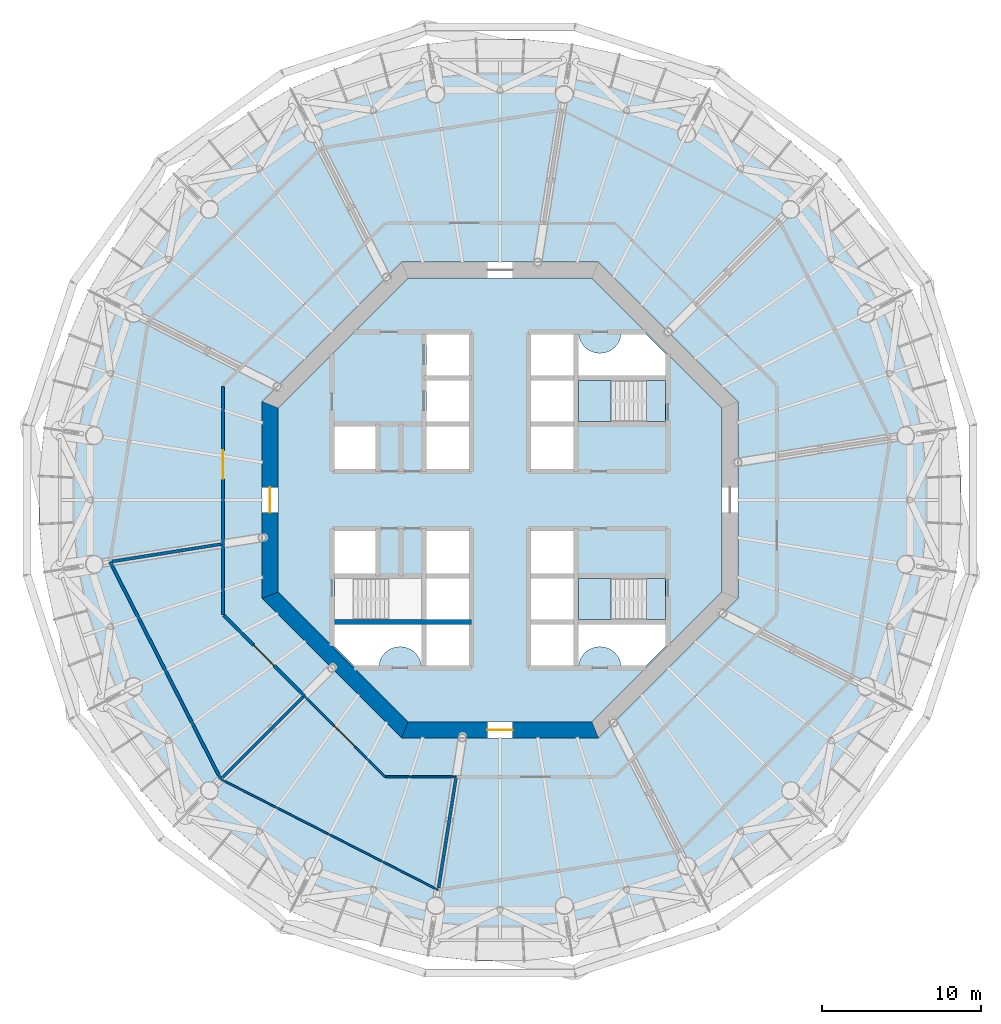
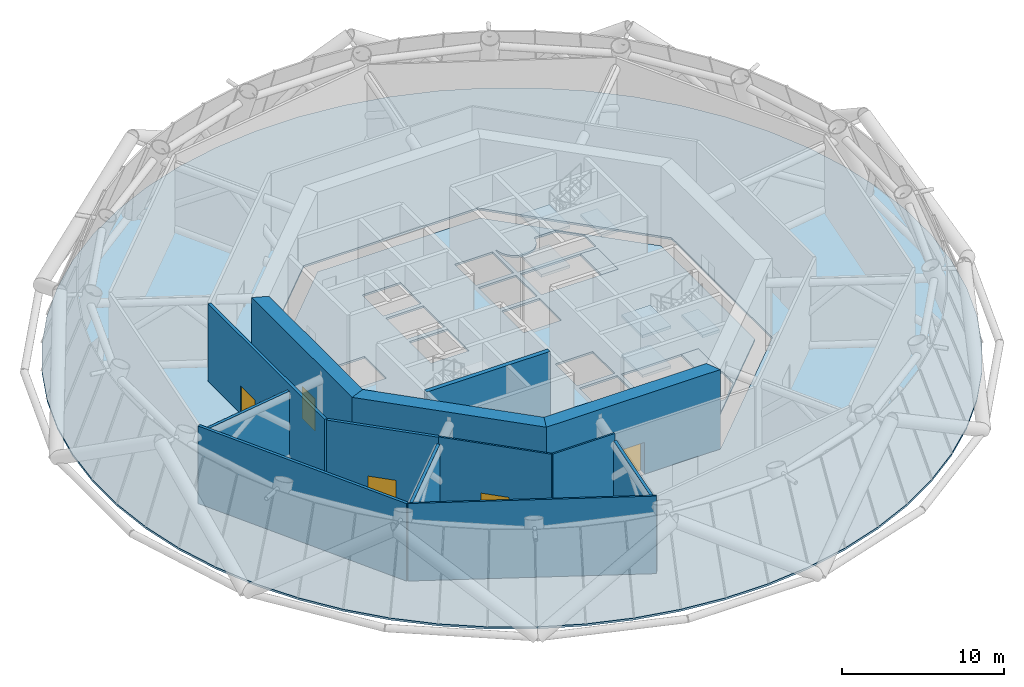
# One storey, part 7 of 15: 13 walls, 10 slabs, 5 doors, 5 openings, 2 elements without a shape of their own.
"""IFC4 building model written with IfcOpenShell, lengths in metres."""

from ifc_helpers import new_model, si_unit, direction, frame, frame_2d, origin, place, context, subcontext, project, spatial, polyline, rectangle, outline, extrude, material, layer, layer_set, type_object, element, fill, aggregate, save


model = new_model("IFC4")

# Units and contexts
model_context = context("Model", 3, precision=1e-05, world=origin(), true_north=direction((0.0, 1.0)))
body_context = subcontext(model_context, "Body", "Model", "MODEL_VIEW")
ifc_project = project(units=[si_unit("LENGTHUNIT", "METRE"), si_unit("AREAUNIT", "SQUARE_METRE"), si_unit("VOLUMEUNIT", "CUBIC_METRE"), si_unit("PLANEANGLEUNIT", "RADIAN"), si_unit("MASSUNIT", "GRAM", prefix="KILO")], contexts=[model_context])

# Site, building, storey
site_placement = place(None, origin())
site = spatial("IfcSite", under=ifc_project, at=site_placement, CompositionType="ELEMENT")
building_placement = place(site_placement, origin())
building = spatial("IfcBuilding", under=site, at=building_placement, Name="Entoto Ring Tower", CompositionType="ELEMENT")
storey_placement = place(building_placement, frame((0.0, 0.0, 200.0)))
storey = spatial("IfcBuildingStorey", under=building, at=storey_placement, Name="L46", CompositionType="ELEMENT", Elevation=200.0)

# Slabs
ifc_material_1 = material(Name="Concrete C30/37", Category="concrete")
ifc_layer_1 = layer(ifc_material_1, 0.14990234375)
ifc_layer_set_1 = layer_set([ifc_layer_1], Name="Concrete C30/37")
slab_type_1 = type_object("IfcSlabType", Name="Composite floor slab 150 mm", PredefinedType="FLOOR", material=ifc_layer_set_1)
slab_1_placement = place(storey_placement, frame((0.0, 0.0, -0.14990234375)))
element("IfcSlab", 1, at=slab_1_placement, inside=storey, type_object=slab_type_1, Name="Floor slab L46", PredefinedType="FLOOR", context=body_context, shape_type="SweptSolid", body=[
    extrude(outline(polyline([(118.74169921875, 84.55224609375), (118.1083984375, 87.53173828125), (117.167236328125, 90.428466796875), (115.92822265625, 93.211181640625), (114.4052734375, 95.848876953125), (112.614990234375, 98.313232421875), (110.576904296875, 100.576904296875), (108.313232421875, 102.614990234375), (105.848876953125, 104.4052734375), (103.211181640625, 105.92822265625), (100.428466796875, 107.167236328125), (97.53173828125, 108.1083984375), (94.55224609375, 108.74169921875), (91.52294921875, 109.06005859375), (88.47705078125, 109.06005859375), (85.44775390625, 108.74169921875), (82.46826171875, 108.1083984375), (79.571533203125, 107.167236328125), (76.788818359375, 105.92822265625), (74.151123046875, 104.4052734375), (71.686767578125, 102.614990234375), (69.423095703125, 100.576904296875), (67.385009765625, 98.313232421875), (65.5947265625, 95.848876953125), (64.07177734375, 93.211181640625), (62.832763671875, 90.428466796875), (61.8916015625, 87.53173828125), (61.25830078125, 84.55224609375), (60.93994140625, 81.52294921875), (60.93994140625, 78.47705078125), (61.25830078125, 75.44775390625), (61.8916015625, 72.46826171875), (62.832763671875, 69.571533203125), (64.07177734375, 66.788818359375), (65.5947265625, 64.151123046875), (67.385009765625, 61.686767578125), (69.423095703125, 59.423095703125), (71.686767578125, 57.385009765625), (74.151123046875, 55.5947265625), (76.788818359375, 54.07177734375), (79.571533203125, 52.832763671875), (82.46826171875, 51.8916015625), (85.44775390625, 51.25830078125), (88.47705078125, 50.93994140625), (91.52294921875, 50.93994140625), (94.55224609375, 51.25830078125), (97.53173828125, 51.8916015625), (100.428466796875, 52.832763671875), (103.211181640625, 54.07177734375), (105.848876953125, 55.5947265625), (108.313232421875, 57.385009765625), (110.576904296875, 59.423095703125), (112.614990234375, 61.686767578125), (114.4052734375, 64.151123046875), (115.92822265625, 66.788818359375), (117.167236328125, 69.571533203125), (118.1083984375, 72.46826171875), (118.74169921875, 75.44775390625), (119.06005859375, 78.47705078125), (119.06005859375, 81.52294921875), (118.74169921875, 84.55224609375)]), holes=[polyline([(105.0, 73.786865234375), (105.0, 86.213134765625), (96.213134765625, 95.0), (83.786865234375, 95.0), (75.0, 86.213134765625), (75.0, 73.786865234375), (83.786865234375, 65.0), (96.213134765625, 65.0), (105.0, 73.786865234375)])]), origin(), (0.0, 0.0, 1.0), 0.14990234375),
])
ifc_material_2 = material(Name="Concrete C40/50", Category="concrete")
ifc_layer_2 = layer(ifc_material_2, 0.14990234375)
ifc_layer_set_2 = layer_set([ifc_layer_2], Name="Concrete C40/50")
slab_type_2 = type_object("IfcSlabType", Name="Core floor slab 150 mm reinforced concrete C40/50", PredefinedType="FLOOR", material=ifc_layer_set_2)
slab_2_placement = place(storey_placement, frame((0.0, 0.0, -0.14990234375)))
element("IfcSlab", 2, at=slab_2_placement, inside=storey, type_object=slab_type_2, Name="Core floor L46", PredefinedType="FLOOR", context=body_context, shape_type="SweptSolid", body=[
    extrude(outline(polyline([(104.0, 74.200927734375), (104.0, 85.799072265625), (95.799072265625, 94.0), (84.200927734375, 94.0), (76.0, 85.799072265625), (76.0, 74.200927734375), (84.200927734375, 66.0), (95.799072265625, 66.0), (104.0, 74.200927734375)]), holes=[polyline([(100.449951171875, 84.949951171875), (100.449951171875, 87.550048828125), (94.949951171875, 87.550048828125), (94.949951171875, 84.949951171875), (100.449951171875, 84.949951171875)]), polyline([(85.050048828125, 72.449951171875), (85.050048828125, 75.050048828125), (79.550048828125, 75.050048828125), (79.550048828125, 72.449951171875), (85.050048828125, 72.449951171875)]), polyline([(100.449951171875, 72.449951171875), (100.449951171875, 75.050048828125), (94.949951171875, 75.050048828125), (94.949951171875, 72.449951171875), (100.449951171875, 72.449951171875)]), polyline([(91.949951171875, 84.949951171875), (94.64990234375, 84.949951171875), (94.64990234375, 87.550048828125), (91.949951171875, 87.550048828125), (91.949951171875, 84.949951171875)]), polyline([(91.949951171875, 72.449951171875), (94.64990234375, 72.449951171875), (94.64990234375, 75.050048828125), (91.949951171875, 75.050048828125), (91.949951171875, 72.449951171875)]), polyline([(91.949951171875, 69.550048828125), (94.64990234375, 69.550048828125), (94.64990234375, 72.14990234375), (91.949951171875, 72.14990234375), (91.949951171875, 69.550048828125)]), polyline([(85.35009765625, 72.449951171875), (88.050048828125, 72.449951171875), (88.050048828125, 75.050048828125), (85.35009765625, 75.050048828125), (85.35009765625, 72.449951171875)]), polyline([(85.35009765625, 81.949951171875), (88.050048828125, 81.949951171875), (88.050048828125, 84.64990234375), (85.35009765625, 84.64990234375), (85.35009765625, 81.949951171875)]), polyline([(91.949951171875, 75.35009765625), (94.64990234375, 75.35009765625), (94.64990234375, 78.050048828125), (91.949951171875, 78.050048828125), (91.949951171875, 75.35009765625)]), polyline([(79.550048828125, 81.949951171875), (82.14990234375, 81.949951171875), (82.14990234375, 84.64990234375), (79.550048828125, 84.64990234375), (79.550048828125, 81.949951171875)]), polyline([(79.550048828125, 75.35009765625), (82.14990234375, 75.35009765625), (82.14990234375, 78.050048828125), (79.550048828125, 78.050048828125), (79.550048828125, 75.35009765625)]), polyline([(91.949951171875, 87.85009765625), (94.64990234375, 87.85009765625), (94.64990234375, 90.449951171875), (91.949951171875, 90.449951171875), (91.949951171875, 87.85009765625)]), polyline([(85.35009765625, 69.550048828125), (88.050048828125, 69.550048828125), (88.050048828125, 72.14990234375), (85.35009765625, 72.14990234375), (85.35009765625, 69.550048828125)]), polyline([(91.949951171875, 81.949951171875), (94.64990234375, 81.949951171875), (94.64990234375, 84.64990234375), (91.949951171875, 84.64990234375), (91.949951171875, 81.949951171875)]), polyline([(85.35009765625, 75.35009765625), (88.050048828125, 75.35009765625), (88.050048828125, 78.050048828125), (85.35009765625, 78.050048828125), (85.35009765625, 75.35009765625)]), polyline([(85.35009765625, 84.949951171875), (88.050048828125, 84.949951171875), (88.050048828125, 87.550048828125), (85.35009765625, 87.550048828125), (85.35009765625, 84.949951171875)]), polyline([(85.35009765625, 87.85009765625), (88.050048828125, 87.85009765625), (88.050048828125, 90.449951171875), (85.35009765625, 90.449951171875), (85.35009765625, 87.85009765625)]), polyline([(94.89990234375, 90.5), (94.89990234375, 87.800048828125), (100.5, 87.800048828125), (100.5, 89.15771484375), (99.15771484375, 90.5), (97.64501953125, 90.5), (97.6435546875, 90.4677734375), (97.6240234375, 90.336669921875), (97.591796875, 90.2080078125), (97.547119140625, 90.08349609375), (97.490478515625, 89.963623046875), (97.422607421875, 89.85009765625), (97.343505859375, 89.74365234375), (97.254638671875, 89.6455078125), (97.156494140625, 89.556396484375), (97.050048828125, 89.4775390625), (96.936279296875, 89.409423828125), (96.816650390625, 89.352783203125), (96.69189453125, 89.30810546875), (96.5634765625, 89.27587890625), (96.432373046875, 89.256591796875), (96.300048828125, 89.25), (96.167724609375, 89.256591796875), (96.03662109375, 89.27587890625), (95.908203125, 89.30810546875), (95.783447265625, 89.352783203125), (95.66357421875, 89.409423828125), (95.550048828125, 89.4775390625), (95.443603515625, 89.556396484375), (95.345458984375, 89.6455078125), (95.25634765625, 89.74365234375), (95.177490234375, 89.85009765625), (95.109375, 89.963623046875), (95.052734375, 90.08349609375), (95.008056640625, 90.2080078125), (94.975830078125, 90.336669921875), (94.95654296875, 90.4677734375), (94.954833984375, 90.5), (94.89990234375, 90.5)]), polyline([(79.5, 70.84228515625), (80.84228515625, 69.5), (82.35498046875, 69.5), (82.3564453125, 69.5322265625), (82.3759765625, 69.663330078125), (82.408203125, 69.7919921875), (82.452880859375, 69.91650390625), (82.509521484375, 70.036376953125), (82.577392578125, 70.14990234375), (82.656494140625, 70.25634765625), (82.745361328125, 70.3544921875), (82.843505859375, 70.443603515625), (82.949951171875, 70.5224609375), (83.063720703125, 70.590576171875), (83.183349609375, 70.647216796875), (83.30810546875, 70.69189453125), (83.4365234375, 70.72412109375), (83.567626953125, 70.743408203125), (83.699951171875, 70.75), (83.832275390625, 70.743408203125), (83.96337890625, 70.72412109375), (84.091796875, 70.69189453125), (84.216552734375, 70.647216796875), (84.33642578125, 70.590576171875), (84.449951171875, 70.5224609375), (84.556396484375, 70.443603515625), (84.654541015625, 70.3544921875), (84.74365234375, 70.25634765625), (84.822509765625, 70.14990234375), (84.890625, 70.036376953125), (84.947265625, 69.91650390625), (84.991943359375, 69.7919921875), (85.024169921875, 69.663330078125), (85.04345703125, 69.5322265625), (85.045166015625, 69.5), (85.10009765625, 69.5), (85.10009765625, 72.199951171875), (79.5, 72.199951171875), (79.5, 70.84228515625)]), polyline([(97.64501953125, 69.5), (99.15771484375, 69.5), (100.5, 70.84228515625), (100.5, 72.199951171875), (94.89990234375, 72.199951171875), (94.89990234375, 69.5), (94.954833984375, 69.5), (94.95654296875, 69.5322265625), (94.975830078125, 69.663330078125), (95.008056640625, 69.7919921875), (95.052734375, 69.91650390625), (95.109375, 70.036376953125), (95.177490234375, 70.14990234375), (95.25634765625, 70.25634765625), (95.345458984375, 70.3544921875), (95.443603515625, 70.443603515625), (95.550048828125, 70.5224609375), (95.66357421875, 70.590576171875), (95.783447265625, 70.647216796875), (95.908203125, 70.69189453125), (96.03662109375, 70.72412109375), (96.167724609375, 70.743408203125), (96.300048828125, 70.75), (96.432373046875, 70.743408203125), (96.5634765625, 70.72412109375), (96.69189453125, 70.69189453125), (96.816650390625, 70.647216796875), (96.936279296875, 70.590576171875), (97.050048828125, 70.5224609375), (97.156494140625, 70.443603515625), (97.254638671875, 70.3544921875), (97.343505859375, 70.25634765625), (97.422607421875, 70.14990234375), (97.490478515625, 70.036376953125), (97.547119140625, 69.91650390625), (97.591796875, 69.7919921875), (97.6240234375, 69.663330078125), (97.6435546875, 69.5322265625), (97.64501953125, 69.5)])]), origin(), (0.0, 0.0, 1.0), 0.14990234375),
])

# Stair, slabs
ifc_material_3 = material(Name="Concrete C40/50", Category="concrete")
stair_type = type_object("IfcStairType", Name="Exit stair 1200 mm dog-leg reinforced concrete", PredefinedType="HALF_TURN_STAIR", material=ifc_material_3)
stair_1_placement = place(storey_placement, origin())
stair_1 = element("IfcStair", 3, at=stair_1_placement, inside=storey, type_object=stair_type, Name="Exit stair 1", PredefinedType="HALF_TURN_STAIR")
ifc_material_4 = material(Name="Concrete C40/50", Category="concrete")
ifc_layer_3 = layer(ifc_material_4, 0.199951171875)
ifc_layer_set_3 = layer_set([ifc_layer_3], Name="Concrete C40/50")
slab_type_3 = type_object("IfcSlabType", Name="Stair landing 200 mm reinforced concrete", PredefinedType="LANDING", material=ifc_layer_set_3)
slab_3_placement = place(storey_placement, frame((0.0, 0.0, -0.199951171875)))
slab_3 = element("IfcSlab", 4, at=slab_3_placement, type_object=slab_type_3, Name="ST1 landing 1", PredefinedType="LANDING", context=body_context, shape_type="SweptSolid", body=[
    extrude(outline(polyline([(100.449951171875, 84.949951171875), (100.449951171875, 87.550048828125), (99.25, 87.550048828125), (99.25, 84.949951171875), (100.449951171875, 84.949951171875)])), origin(), (0.0, 0.0, 1.0), 0.199951171875),
])
slab_4_placement = place(storey_placement, frame((0.0, 0.0, 1.300048828125)))
slab_4 = element("IfcSlab", 5, at=slab_4_placement, type_object=slab_type_3, Name="ST1 landing 2", PredefinedType="LANDING", context=body_context, shape_type="SweptSolid", body=[
    extrude(outline(polyline([(94.949951171875, 84.949951171875), (97.010009765625, 84.949951171875), (97.010009765625, 87.550048828125), (94.949951171875, 87.550048828125), (94.949951171875, 84.949951171875)])), origin(), (0.0, 0.0, 1.0), 0.199951171875),
])
slab_5_placement = place(storey_placement, frame((0.0, 0.0, 2.800048828125)))
slab_5 = element("IfcSlab", 6, at=slab_5_placement, type_object=slab_type_3, Name="ST1 landing 3", PredefinedType="LANDING", context=body_context, shape_type="SweptSolid", body=[
    extrude(outline(polyline([(99.25, 84.949951171875), (100.449951171875, 84.949951171875), (100.449951171875, 87.550048828125), (99.25, 87.550048828125), (99.25, 84.949951171875)])), origin(), (0.0, 0.0, 1.0), 0.199951171875),
])
slab_6_placement = place(storey_placement, frame((0.0, 0.0, 4.300048828125)))
slab_6 = element("IfcSlab", 7, at=slab_6_placement, type_object=slab_type_3, Name="ST1 landing 4", PredefinedType="LANDING", context=body_context, shape_type="SweptSolid", body=[
    extrude(outline(polyline([(94.949951171875, 84.949951171875), (97.010009765625, 84.949951171875), (97.010009765625, 87.550048828125), (94.949951171875, 87.550048828125), (94.949951171875, 84.949951171875)])), origin(), (0.0, 0.0, 1.0), 0.199951171875),
])
aggregate(stair_1, [slab_3, slab_4, slab_5, slab_6])

stair_2_placement = place(storey_placement, origin())
stair_2 = element("IfcStair", 8, at=stair_2_placement, inside=storey, type_object=stair_type, Name="Exit stair 3", PredefinedType="HALF_TURN_STAIR")
slab_7_placement = place(storey_placement, frame((0.0, 0.0, -0.199951171875)))
slab_7 = element("IfcSlab", 9, at=slab_7_placement, type_object=slab_type_3, Name="ST3 landing 1", PredefinedType="LANDING", context=body_context, shape_type="SweptSolid", body=[
    extrude(outline(polyline([(100.449951171875, 72.449951171875), (100.449951171875, 75.050048828125), (99.25, 75.050048828125), (99.25, 72.449951171875), (100.449951171875, 72.449951171875)])), origin(), (0.0, 0.0, 1.0), 0.199951171875),
])
slab_8_placement = place(storey_placement, frame((0.0, 0.0, 1.300048828125)))
slab_8 = element("IfcSlab", 10, at=slab_8_placement, type_object=slab_type_3, Name="ST3 landing 2", PredefinedType="LANDING", context=body_context, shape_type="SweptSolid", body=[
    extrude(outline(polyline([(94.949951171875, 72.449951171875), (97.010009765625, 72.449951171875), (97.010009765625, 75.050048828125), (94.949951171875, 75.050048828125), (94.949951171875, 72.449951171875)])), origin(), (0.0, 0.0, 1.0), 0.199951171875),
])
slab_9_placement = place(storey_placement, frame((0.0, 0.0, 2.800048828125)))
slab_9 = element("IfcSlab", 11, at=slab_9_placement, type_object=slab_type_3, Name="ST3 landing 3", PredefinedType="LANDING", context=body_context, shape_type="SweptSolid", body=[
    extrude(outline(polyline([(99.25, 72.449951171875), (100.449951171875, 72.449951171875), (100.449951171875, 75.050048828125), (99.25, 75.050048828125), (99.25, 72.449951171875)])), origin(), (0.0, 0.0, 1.0), 0.199951171875),
])
slab_10_placement = place(storey_placement, frame((0.0, 0.0, 4.300048828125)))
slab_10 = element("IfcSlab", 12, at=slab_10_placement, type_object=slab_type_3, Name="ST3 landing 4", PredefinedType="LANDING", context=body_context, shape_type="SweptSolid", body=[
    extrude(outline(polyline([(94.949951171875, 72.449951171875), (97.010009765625, 72.449951171875), (97.010009765625, 75.050048828125), (94.949951171875, 75.050048828125), (94.949951171875, 72.449951171875)])), origin(), (0.0, 0.0, 1.0), 0.199951171875),
])
aggregate(stair_2, [slab_7, slab_8, slab_9, slab_10])

# Wall
ifc_material_5 = material(Name="Concrete C40/50", Category="concrete")
ifc_layer_4 = layer(ifc_material_5, 0.300048828125)
ifc_layer_set_4 = layer_set([ifc_layer_4], Name="Concrete C40/50")
wall_type_1 = type_object("IfcWallType", Name="Core enclosure wall 300 mm reinforced concrete", PredefinedType="SOLIDWALL", material=ifc_layer_set_4)
wall_1_placement = place(storey_placement, frame((79.39990234375, 72.300048828125, 0.0), z_axis=(0.0, 0.0, 1.0), x_axis=(1.0, 0.0, 0.0)))
element("IfcWall", 13, at=wall_1_placement, inside=storey, type_object=wall_type_1, Name="wall-L46-019", PredefinedType="SOLIDWALL", context=body_context, shape_type="SweptSolid", body=[
    extrude(rectangle(XDim=8.800048828125, YDim=0.300048828125, at=frame_2d((4.39990234375, 0.0))), origin(), (0.0, 0.0, 1.0), 5.85009765625),
])

# Wall, opening, door
ifc_material_6 = material(Name="Concrete C50/60", Category="concrete")
ifc_layer_5 = layer(ifc_material_6, 1.0)
ifc_layer_set_5 = layer_set([ifc_layer_5], Name="Concrete C50/60")
wall_type_2 = type_object("IfcWallType", Name="Core shear wall 1000 mm reinforced concrete C50/60", PredefinedType="SHEAR", material=ifc_layer_set_5)
wall_2_placement = place(storey_placement, frame((75.5, 86.006103515625, 0.0), z_axis=(0.0, 0.0, 1.0), x_axis=(0.0, -1.0, 0.0)))
wall_2 = element("IfcWall", 14, at=wall_2_placement, inside=storey, type_object=wall_type_2, Name="wall-L46-core-4", PredefinedType="SHEAR", context=body_context, shape_type="SweptSolid", body=[
    extrude(outline(polyline([(-0.20703125, -0.5), (12.21923828125, -0.5), (11.80517578125, 0.5), (0.20703125, 0.5), (-0.20703125, -0.5)])), origin(), (0.0, 0.0, 1.0), 6.0),
])
opening_1_placement = place(wall_2_placement, frame((5.2060546875, 0.0, 0.0)))
opening_1 = element("IfcOpeningElement", 15, at=opening_1_placement, cuts=wall_2, Name="Opening K-03", PredefinedType="OPENING", context=body_context, shape_type="SweptSolid", body=[
    extrude(rectangle(XDim=1.60009765625, YDim=2.39990234375, at=frame_2d((0.800048828125, 1.199951171875))), frame((0.0, 0.510009765625, 0.0), z_axis=(0.0, -1.0, 0.0), x_axis=(1.0, 0.0, 0.0)), (0.0, 0.0, 1.0), 1.02001953125),
])
ifc_material_7 = material(Name="Steel door leaf, fire rated", Category="steel")
ifc_layer_6 = layer(ifc_material_7, 0.050048828125)
ifc_layer_set_6 = layer_set([ifc_layer_6], Name="Steel door leaf, fire rated")
door_type_1 = type_object("IfcDoorType", Name="Entrance door FD60 1600 x 2400 double leaf", OperationType="DOUBLE_DOOR_SINGLE_SWING", PredefinedType="DOOR", material=ifc_layer_set_6)
door_1_placement = place(opening_1_placement, origin())
door_1 = element("IfcDoor", 16, at=door_1_placement, inside=storey, type_object=door_type_1, Name="Entrance door K-03", OperationType="DOUBLE_DOOR_SINGLE_SWING", OverallHeight=2.39990234375, OverallWidth=1.60009765625, PredefinedType="DOOR", context=body_context, shape_type="SweptSolid", body=[
    extrude(rectangle(XDim=1.60009765625, YDim=2.39990234375, at=frame_2d((0.800048828125, 1.199951171875))), frame((0.0, 0.02490234375, 0.0), z_axis=(0.0, -1.0, 0.0), x_axis=(1.0, 0.0, 0.0)), (0.0, 0.0, 1.0), 0.050048828125),
])
fill(opening_1, door_1)

# Wall
wall_3_placement = place(storey_placement, frame((75.5, 73.993896484375, 0.0), z_axis=(0.0, 0.0, 1.0), x_axis=(0.707106781187, -0.707106781187, 0.0)))
element("IfcWall", 17, at=wall_3_placement, inside=storey, type_object=wall_type_2, Name="wall-L46-core-5", PredefinedType="SHEAR", context=body_context, shape_type="SweptSolid", body=[
    extrude(outline(polyline([(-0.20703125, -0.5), (12.21923828125, -0.5), (11.80517578125, 0.5), (0.20703125, 0.5), (-0.20703125, -0.5)])), origin(), (0.0, 0.0, 1.0), 6.0),
])

# Wall, opening, door
wall_4_placement = place(storey_placement, frame((83.993896484375, 65.5, 0.0), z_axis=(0.0, 0.0, 1.0), x_axis=(1.0, 0.0, 0.0)))
wall_4 = element("IfcWall", 18, at=wall_4_placement, inside=storey, type_object=wall_type_2, Name="wall-L46-core-6", PredefinedType="SHEAR", context=body_context, shape_type="SweptSolid", body=[
    extrude(outline(polyline([(-0.20703125, -0.5), (12.21923828125, -0.5), (11.80517578125, 0.5), (0.20703125, 0.5), (-0.20703125, -0.5)])), origin(), (0.0, 0.0, 1.0), 6.0),
])
opening_2_placement = place(wall_4_placement, frame((5.2060546875, 0.0, 0.0)))
opening_2 = element("IfcOpeningElement", 19, at=opening_2_placement, cuts=wall_4, Name="Opening K-04", PredefinedType="OPENING", context=body_context, shape_type="SweptSolid", body=[
    extrude(rectangle(XDim=1.60009765625, YDim=2.39990234375, at=frame_2d((0.800048828125, 1.199951171875))), frame((0.0, 0.510009765625, 0.0), z_axis=(0.0, -1.0, 0.0), x_axis=(1.0, 0.0, 0.0)), (0.0, 0.0, 1.0), 1.02001953125),
])
door_2_placement = place(opening_2_placement, origin())
door_2 = element("IfcDoor", 20, at=door_2_placement, inside=storey, type_object=door_type_1, Name="Entrance door K-04", OperationType="DOUBLE_DOOR_SINGLE_SWING", OverallHeight=2.39990234375, OverallWidth=1.60009765625, PredefinedType="DOOR", context=body_context, shape_type="SweptSolid", body=[
    extrude(rectangle(XDim=1.60009765625, YDim=2.39990234375, at=frame_2d((0.800048828125, 1.199951171875))), frame((0.0, 0.02490234375, 0.0), z_axis=(0.0, -1.0, 0.0), x_axis=(1.0, 0.0, 0.0)), (0.0, 0.0, 1.0), 0.050048828125),
])
fill(opening_2, door_2)

# Wall
ifc_material_8 = material(Name="Fire-resisting plasterboard on steel studs", Category="steel")
ifc_layer_7 = layer(ifc_material_8, 0.125)
ifc_layer_set_7 = layer_set([ifc_layer_7], Name="Fire-resisting plasterboard on steel studs")
wall_type_3 = type_object("IfcWallType", Name="Corridor wall 125 mm one-hour plasterboard on steel studs", PredefinedType="PARTITIONING", material=ifc_layer_set_7)
wall_5_placement = place(storey_placement, frame((86.104736328125, 55.406494140625, 0.0), z_axis=(0.0, 0.0, 1.0), x_axis=(-0.891003173145, 0.453997076472, 0.0)))
element("IfcWall", 21, at=wall_5_placement, inside=storey, type_object=wall_type_3, Name="partition-L46-001", PredefinedType="PARTITIONING", context=body_context, shape_type="SweptSolid", body=[
    extrude(rectangle(XDim=15.388916015625, YDim=0.125, at=frame_2d((7.6943359375, 0.0))), origin(), (0.0, 0.0, 1.0), 5.85009765625),
])

# Wall, opening, door
wall_6_placement = place(storey_placement, frame((82.766845703125, 62.53759765625, 0.0), z_axis=(0.0, 0.0, 1.0), x_axis=(-0.707123657445, 0.707089904526, 0.0)))
wall_6 = element("IfcWall", 22, at=wall_6_placement, inside=storey, type_object=wall_type_3, Name="partition-L46-003", PredefinedType="PARTITIONING", context=body_context, shape_type="SweptSolid", body=[
    extrude(rectangle(XDim=7.233154296875, YDim=0.125, at=frame_2d((3.61669921875, 0.0))), origin(), (0.0, 0.0, 1.0), 5.85009765625),
])
opening_3_placement = place(wall_6_placement, frame((2.716796875, 0.0, 0.0)))
opening_3 = element("IfcOpeningElement", 23, at=opening_3_placement, cuts=wall_6, Name="Opening A20-D07", PredefinedType="OPENING", context=body_context, shape_type="SweptSolid", body=[
    extrude(rectangle(XDim=1.800048828125, YDim=2.10009765625, at=frame_2d((0.89990234375, 1.050048828125))), frame((0.0, 0.072509765625, 0.0), z_axis=(0.0, -1.0, 0.0), x_axis=(1.0, 0.0, 0.0)), (0.0, 0.0, 1.0), 0.14501953125),
])
ifc_material_9 = material(Name="Fire-resisting timber door set", Category="wood")
door_type_2 = type_object("IfcDoorType", Name="Door 1800 x 2100 double leaf FD30S fire door", OperationType="DOUBLE_DOOR_SINGLE_SWING", PredefinedType="DOOR", material=ifc_material_9)
door_3_placement = place(opening_3_placement, origin())
door_3 = element("IfcDoor", 24, at=door_3_placement, inside=storey, type_object=door_type_2, Name="Door A20-D07", OperationType="DOUBLE_DOOR_SINGLE_SWING", OverallHeight=2.10009765625, OverallWidth=1.800048828125, PredefinedType="DOOR", context=body_context, shape_type="SweptSolid", body=[
    extrude(rectangle(XDim=1.800048828125, YDim=2.10009765625, at=frame_2d((0.89990234375, 1.050048828125))), frame((0.0, 0.02490234375, 0.0), z_axis=(0.0, -1.0, 0.0), x_axis=(1.0, 0.0, 0.0)), (0.0, 0.0, 1.0), 0.050048828125),
])
fill(opening_3, door_3)

# Walls
wall_7_placement = place(storey_placement, frame((82.810791015625, 62.53759765625, 0.0), z_axis=(0.0, 0.0, 1.0), x_axis=(1.0, 0.0, 0.0)))
element("IfcWall", 25, at=wall_7_placement, inside=storey, type_object=wall_type_3, Name="partition-L46-005", PredefinedType="PARTITIONING", context=body_context, shape_type="SweptSolid", body=[
    extrude(rectangle(XDim=4.42333984375, YDim=0.125, at=frame_2d((2.211669921875, 0.0))), origin(), (0.0, 0.0, 1.0), 5.85009765625),
])
ifc_material_10 = material(Name="Concrete C20/25", Category="concrete")
ifc_layer_8 = layer(ifc_material_10, 0.199951171875)
ifc_layer_set_8 = layer_set([ifc_layer_8], Name="Concrete C20/25")
wall_type_4 = type_object("IfcWallType", Name="Plant room wall 200 mm two-hour concrete", PredefinedType="PARTITIONING", material=ifc_layer_set_8)
wall_8_placement = place(storey_placement, frame((72.37646484375, 62.425537109375, 0.0), z_axis=(0.0, 0.0, 1.0), x_axis=(-0.453994149093, 0.891004664741, 0.0)))
element("IfcWall", 26, at=wall_8_placement, inside=storey, type_object=wall_type_4, Name="partition-L46-009", PredefinedType="PARTITIONING", context=body_context, shape_type="SweptSolid", body=[
    extrude(rectangle(XDim=15.3525390625, YDim=0.199951171875, at=frame_2d((7.67626953125, 0.0))), origin(), (0.0, 0.0, 1.0), 5.85009765625),
])

# Wall, opening, door
wall_9_placement = place(storey_placement, frame((72.53759765625, 72.766845703125, 0.0), z_axis=(0.0, 0.0, 1.0), x_axis=(0.0, 1.0, 0.0)))
wall_9 = element("IfcWall", 27, at=wall_9_placement, inside=storey, type_object=wall_type_4, Name="partition-L46-017", PredefinedType="PARTITIONING", context=body_context, shape_type="SweptSolid", body=[
    extrude(rectangle(XDim=14.395751953125, YDim=0.199951171875, at=frame_2d((7.19775390625, 0.0))), origin(), (0.0, 0.0, 1.0), 5.85009765625),
])
opening_4_placement = place(wall_9_placement, frame((8.56689453125, 0.0, 0.0)))
opening_4 = element("IfcOpeningElement", 28, at=opening_4_placement, cuts=wall_9, Name="Opening A20-D05", PredefinedType="OPENING", context=body_context, shape_type="SweptSolid", body=[
    extrude(rectangle(XDim=1.800048828125, YDim=2.10009765625, at=frame_2d((0.89990234375, 1.050048828125))), frame((0.0, 0.10986328125, 0.0), z_axis=(0.0, -1.0, 0.0), x_axis=(1.0, 0.0, 0.0)), (0.0, 0.0, 1.0), 0.219970703125),
])
ifc_material_11 = material(Name="Fire-resisting steel door set", Category="steel")
door_type_3 = type_object("IfcDoorType", Name="Door 1800 x 2100 double leaf FD60 steel door", OperationType="DOUBLE_DOOR_SINGLE_SWING", PredefinedType="DOOR", material=ifc_material_11)
door_4_placement = place(opening_4_placement, origin())
door_4 = element("IfcDoor", 29, at=door_4_placement, inside=storey, type_object=door_type_3, Name="Door A20-D05", OperationType="DOUBLE_DOOR_SINGLE_SWING", OverallHeight=2.10009765625, OverallWidth=1.800048828125, PredefinedType="DOOR", context=body_context, shape_type="SweptSolid", body=[
    extrude(rectangle(XDim=1.800048828125, YDim=2.10009765625, at=frame_2d((0.89990234375, 1.050048828125))), frame((0.0, 0.02490234375, 0.0), z_axis=(0.0, -1.0, 0.0), x_axis=(1.0, 0.0, 0.0)), (0.0, 0.0, 1.0), 0.050048828125),
])
fill(opening_4, door_4)

wall_10_placement = place(storey_placement, frame((77.652099609375, 67.652099609375, 0.0), z_axis=(0.0, 0.0, 1.0), x_axis=(-0.707106781187, 0.707106781187, 0.0)))
wall_10 = element("IfcWall", 30, at=wall_10_placement, inside=storey, type_object=wall_type_4, Name="partition-L46-023", PredefinedType="PARTITIONING", context=body_context, shape_type="SweptSolid", body=[
    extrude(rectangle(XDim=7.16259765625, YDim=0.199951171875, at=frame_2d((3.581298828125, 0.0))), origin(), (0.0, 0.0, 1.0), 5.85009765625),
])
opening_5_placement = place(wall_10_placement, frame((2.716552734375, 0.0, 0.0)))
opening_5 = element("IfcOpeningElement", 31, at=opening_5_placement, cuts=wall_10, Name="Opening A20-D06", PredefinedType="OPENING", context=body_context, shape_type="SweptSolid", body=[
    extrude(rectangle(XDim=1.800048828125, YDim=2.10009765625, at=frame_2d((0.89990234375, 1.050048828125))), frame((0.0, 0.10986328125, 0.0), z_axis=(0.0, -1.0, 0.0), x_axis=(1.0, 0.0, 0.0)), (0.0, 0.0, 1.0), 0.219970703125),
])
door_5_placement = place(opening_5_placement, origin())
door_5 = element("IfcDoor", 32, at=door_5_placement, inside=storey, type_object=door_type_3, Name="Door A20-D06", OperationType="DOUBLE_DOOR_SINGLE_SWING", OverallHeight=2.10009765625, OverallWidth=1.800048828125, PredefinedType="DOOR", context=body_context, shape_type="SweptSolid", body=[
    extrude(rectangle(XDim=1.800048828125, YDim=2.10009765625, at=frame_2d((0.89990234375, 1.050048828125))), frame((0.0, 0.02490234375, 0.0), z_axis=(0.0, -1.0, 0.0), x_axis=(1.0, 0.0, 0.0)), (0.0, 0.0, 1.0), 0.050048828125),
])
fill(opening_5, door_5)

# Walls
ifc_material_12 = material(Name="Concrete C20/25", Category="concrete")
ifc_layer_9 = layer(ifc_material_12, 0.199951171875)
ifc_layer_set_9 = layer_set([ifc_layer_9], Name="Concrete C20/25")
wall_type_5 = type_object("IfcWallType", Name="Plant room wall 200 mm two-hour concrete, 5350 mm high", PredefinedType="PARTITIONING", material=ifc_layer_set_9)
wall_11_placement = place(storey_placement, frame((72.490234375, 62.490234375, 0.0), z_axis=(0.0, 0.0, 1.0), x_axis=(0.707106781187, 0.707106781187, 0.0)))
element("IfcWall", 33, at=wall_11_placement, inside=storey, type_object=wall_type_5, Name="partition-L46-021", PredefinedType="PARTITIONING", context=body_context, shape_type="SweptSolid", body=[
    extrude(rectangle(XDim=7.199951171875, YDim=0.199951171875, at=frame_2d((3.60009765625, 0.0))), origin(), (0.0, 0.0, 1.0), 5.35009765625),
])
wall_12_placement = place(storey_placement, frame((65.54248046875, 76.126220703125, 0.0), z_axis=(0.0, 0.0, 1.0), x_axis=(0.987688106412, 0.156435943606, 0.0)))
element("IfcWall", 34, at=wall_12_placement, inside=storey, type_object=wall_type_5, Name="partition-L46-025", PredefinedType="PARTITIONING", context=body_context, shape_type="SweptSolid", body=[
    extrude(rectangle(XDim=6.965087890625, YDim=0.199951171875, at=frame_2d((3.482421875, 0.0))), origin(), (0.0, 0.0, 1.0), 5.35009765625),
])
wall_13_placement = place(storey_placement, frame((86.126220703125, 55.54248046875, 0.0), z_axis=(0.0, 0.0, 1.0), x_axis=(0.156445473641, 0.987686596941, 0.0)))
element("IfcWall", 35, at=wall_13_placement, inside=storey, type_object=wall_type_5, Name="partition-L46-026", PredefinedType="PARTITIONING", context=body_context, shape_type="SweptSolid", body=[
    extrude(rectangle(XDim=6.9833984375, YDim=0.199951171875, at=frame_2d((3.49169921875, 0.0))), origin(), (0.0, 0.0, 1.0), 5.35009765625),
])

save(model, "model.ifc")
